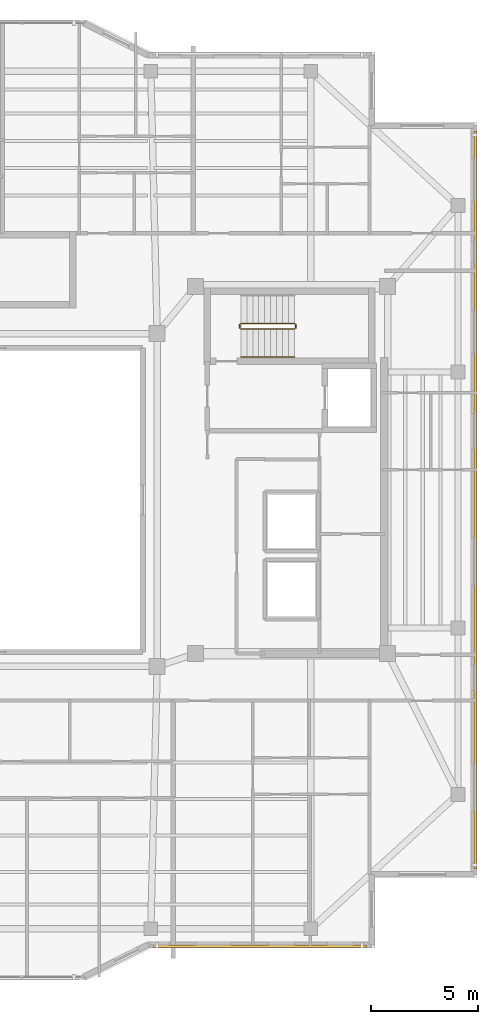
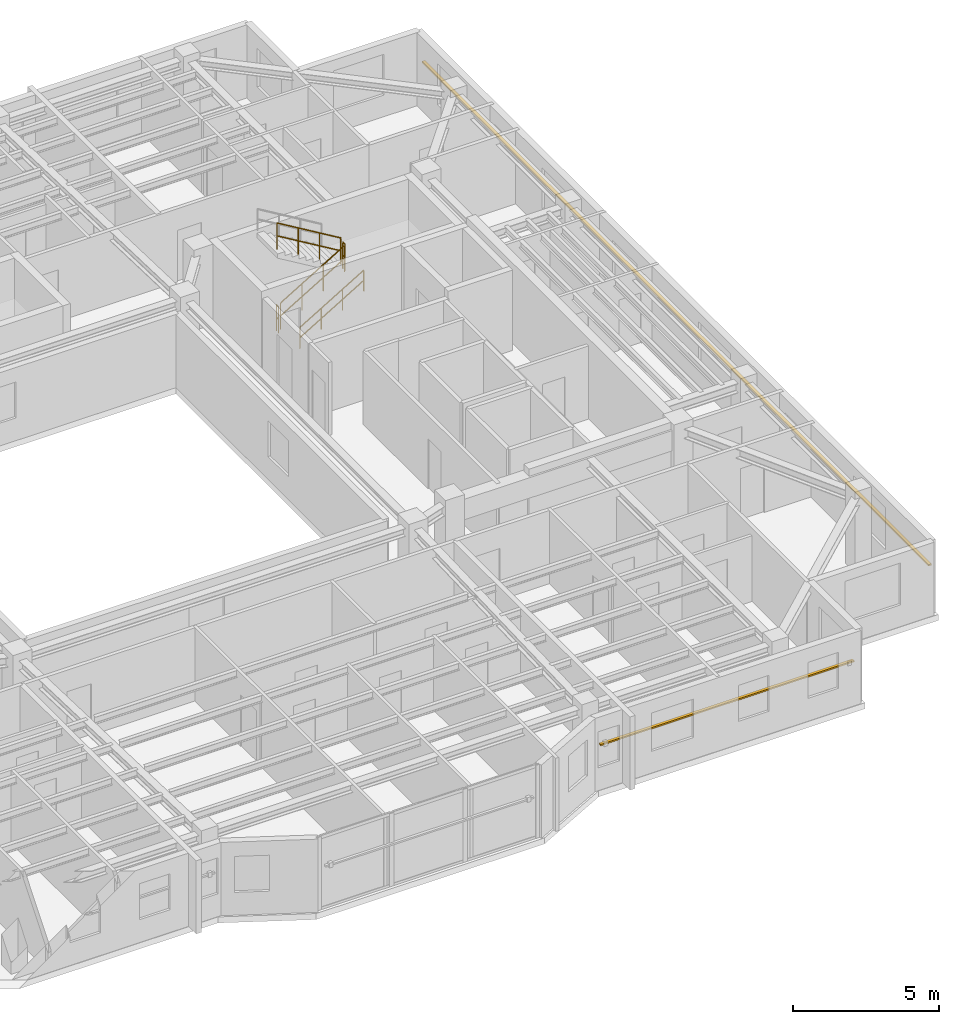
# One storey, part 14 of 15: 5 railings, 2 shading devices.
"""IFC4 building model written with IfcOpenShell, lengths in metres."""

import ifcopenshell
import ifcopenshell.guid

model = None  # the IFC model being written
_history = None  # IfcOwnerHistory: only IFC2X3 demands one
_inside = {}  # id of a spatial element -> (the spatial element, [elements in it])
_under = {}  # id of a project, library or spatial element -> (it, [spatial elements below it])
_declared = {}  # id of a project -> (the project, [libraries it declares])
_typed = {}  # id of a type object -> (the type object, [elements of that type])
_made_of = {}  # id of a material, layer set ... -> (it, [elements and type objects made of it])


def new_model(schema):
    """Start an empty IFC model of exactly this schema.

    Asked for "IFC4X3", IfcOpenShell would pick the latest addendum, in which some entities
    have other attributes; the version numbers below select the first issue.
    IFC2X3 requires an IfcOwnerHistory on every rooted entity: one is made here for all.
    """
    global model, _history
    if schema == "IFC4X3":
        model = ifcopenshell.file(schema_version=(4, 3, 0, 0))
    else:
        model = ifcopenshell.file(schema=schema)
    _inside.clear()
    _under.clear()
    _declared.clear()
    _typed.clear()
    _made_of.clear()
    _history = None
    if model.schema == "IFC2X3":
        org = make("IfcOrganization", Name="unknown")
        user = make(
            "IfcPersonAndOrganization",
            ThePerson=make("IfcPerson", FamilyName="unknown"),
            TheOrganization=org,
        )
        app = make(
            "IfcApplication",
            ApplicationDeveloper=org,
            Version="unknown",
            ApplicationFullName="unknown",
            ApplicationIdentifier="unknown",
        )
        _history = make(
            "IfcOwnerHistory",
            OwningUser=user,
            OwningApplication=app,
            ChangeAction="ADDED",
            CreationDate=0,
        )
    return model


def make(cls, **values):
    """One entity of the class cls with the attributes given. An attribute that is None is left unset."""
    return model.create_entity(
        cls, **{name: value for name, value in values.items() if value is not None}
    )


def rooted(cls, **values):
    """An entity with a GlobalId (a new one), such as an element, a storey or a relation."""
    return make(cls, GlobalId=ifcopenshell.guid.new(), OwnerHistory=_history, **values)


def si_unit(unit_type, name, prefix=None):
    """IfcSIUnit, for example si_unit("LENGTHUNIT", "METRE", prefix="MILLI")."""
    return make("IfcSIUnit", UnitType=unit_type, Prefix=prefix, Name=name)


def assignment(units):
    """IfcUnitAssignment: the units of a project."""
    return None if units is None else make("IfcUnitAssignment", Units=units)


def point(xyz):
    """IfcCartesianPoint."""
    return None if xyz is None else make("IfcCartesianPoint", Coordinates=xyz)


def direction(xyz):
    """IfcDirection."""
    return None if xyz is None else make("IfcDirection", DirectionRatios=xyz)


def frame(location, z_axis=None, x_axis=None):
    """IfcAxis2Placement3D, a coordinate frame: its origin and axes. An axis left out is left unset."""
    return make(
        "IfcAxis2Placement3D",
        Location=point(location),
        Axis=direction(z_axis),
        RefDirection=direction(x_axis),
    )


def frame_2d(location, x_axis=None):
    """IfcAxis2Placement2D, a coordinate frame in the plane: its origin and x axis."""
    return make(
        "IfcAxis2Placement2D", Location=point(location), RefDirection=direction(x_axis)
    )


def origin():
    """The frame at (0, 0, 0) with its axes left unset."""
    return frame((0.0, 0.0, 0.0))


def origin_2d():
    """The frame at (0, 0) in the plane with its x axis left unset."""
    return frame_2d((0.0, 0.0))


def place(relative_to, where):
    """IfcLocalPlacement: puts the frame where relative to a parent placement (None: the world)."""
    return make(
        "IfcLocalPlacement", PlacementRelTo=relative_to, RelativePlacement=where
    )


def context(
    kind, dimensions, precision=None, world=None, true_north=None, identifier=None
):
    """IfcGeometricRepresentationContext, for example the 3D "Model" context."""
    return make(
        "IfcGeometricRepresentationContext",
        ContextIdentifier=identifier,
        ContextType=kind,
        CoordinateSpaceDimension=dimensions,
        Precision=precision,
        WorldCoordinateSystem=world,
        TrueNorth=true_north,
    )


def subcontext(parent, identifier, kind, view, scale=None):
    """IfcGeometricRepresentationSubContext, for example "Body" below "Model"."""
    return make(
        "IfcGeometricRepresentationSubContext",
        ContextIdentifier=identifier,
        ContextType=kind,
        ParentContext=parent,
        TargetScale=scale,
        TargetView=view,
    )


def project(units=None, contexts=None):
    """IfcProject with its units and contexts."""
    return rooted(
        "IfcProject",
        Name="project",
        RepresentationContexts=contexts,
        UnitsInContext=assignment(units),
    )


def spatial(cls, under=None, at=None, **own):
    """A site, building, storey or space (cls), placed at a placement, below another one or the project."""
    s = rooted(cls, ObjectPlacement=at, **own)
    if under is not None:
        _under.setdefault(under.id(), (under, []))[1].append(s)
    return s


def profile(cls, at=None, kind="AREA", **sizes):
    """A parametric profile (cls). Its sizes go by their IFC names, for example OverallWidth=200.0."""
    return make(cls, ProfileType=kind, Position=at, **sizes)


def rectangle(**sizes):
    """IfcRectangleProfileDef."""
    return profile("IfcRectangleProfileDef", **sizes)


def circle(**sizes):
    """IfcCircleProfileDef."""
    return profile("IfcCircleProfileDef", **sizes)


def extrude(swept, where, along, depth):
    """IfcExtrudedAreaSolid: the profile swept, set in the frame where, extruded along a direction by depth."""
    return make(
        "IfcExtrudedAreaSolid",
        SweptArea=swept,
        Position=where,
        ExtrudedDirection=direction(along),
        Depth=depth,
    )


def shape(context_of_items, identifier, shape_type, items):
    """IfcShapeRepresentation: the items that make up one representation, for example the "Body"."""
    return make(
        "IfcShapeRepresentation",
        ContextOfItems=context_of_items,
        RepresentationIdentifier=identifier,
        RepresentationType=shape_type,
        Items=items,
    )


def material(Name=None, Category=None):
    """IfcMaterial."""
    return make("IfcMaterial", Name=Name, Category=Category)


def material_profile(
    of_material, cross_section, Name=None, Category=None, Priority=None
):
    """IfcMaterialProfile: a cross section and its material."""
    return make(
        "IfcMaterialProfile",
        Name=Name,
        Material=of_material,
        Profile=cross_section,
        Priority=Priority,
        Category=Category,
    )


def profile_set(profiles, Name=None, composite=None):
    """IfcMaterialProfileSet."""
    return make(
        "IfcMaterialProfileSet",
        Name=Name,
        MaterialProfiles=profiles,
        CompositeProfile=composite,
    )


def made_of(thing, what):
    """Note that an element or type object is made of a material, layer set ...; save() writes the relation."""
    if what is not None:
        _made_of.setdefault(what.id(), (what, []))[1].append(thing)
    return thing


def type_object(cls, material=None, **own):
    """A type object (cls), such as IfcWallType, which elements share."""
    return made_of(rooted(cls, **own), material)


def element(
    cls,
    number,
    at=None,
    inside=None,
    cuts=None,
    type_object=None,
    material=None,
    context=None,
    identifier="Body",
    shape_type=None,
    held_by="IfcProductDefinitionShape",
    body=None,
    shapes=None,
    **own,
):
    """One element of the class cls, such as IfcWall. Its Tag is "e" and its number.

    at: its placement. inside: the storey or other place that contains it. cuts: it is an
    opening in that element (IfcRelVoidsElement). A single representation is given by context,
    identifier, shape_type and body (its items); several are given by shapes. held_by: the class
    of the entity that holds the representations. save() writes the other relations.
    """
    e = rooted(cls, Tag="e%d" % number, ObjectPlacement=at, **own)
    if body is not None:
        shapes = [shape(context, identifier, shape_type, body)]
    if shapes is not None:
        e.Representation = make(held_by, Representations=shapes)
    if inside is not None:
        _inside.setdefault(inside.id(), (inside, []))[1].append(e)
    if cuts is not None:
        rooted(
            "IfcRelVoidsElement", RelatingBuildingElement=cuts, RelatedOpeningElement=e
        )
    if type_object is not None:
        _typed.setdefault(type_object.id(), (type_object, []))[1].append(e)
    return made_of(e, material)


def aggregate(whole, parts):
    """IfcRelAggregates: a whole, such as a stair, and the parts it consists of."""
    return rooted("IfcRelAggregates", RelatingObject=whole, RelatedObjects=parts)


def save(model, path):
    """Write the relations noted so far, then the file.

    IfcRelAggregates (storeys below a building ...), IfcRelContainedInSpatialStructure (elements
    in a storey), IfcRelDefinesByType, IfcRelAssociatesMaterial and IfcRelDeclares: one each for
    every whole, place, type object, material and project.
    """
    for whole, parts in _under.values():
        aggregate(whole, parts)
    for where, things in _inside.values():
        rooted(
            "IfcRelContainedInSpatialStructure",
            RelatedElements=things,
            RelatingStructure=where,
        )
    for kind, things in _typed.values():
        rooted("IfcRelDefinesByType", RelatedObjects=things, RelatingType=kind)
    for what, things in _made_of.values():
        rooted("IfcRelAssociatesMaterial", RelatedObjects=things, RelatingMaterial=what)
    for by, libraries in _declared.values():
        rooted("IfcRelDeclares", RelatingContext=by, RelatedDefinitions=libraries)
    model.write(path)


model = new_model("IFC4")

# Units and contexts
model_context = context("Model", 3, precision=1e-05, world=origin(), true_north=direction((0.0, 1.0)))
body_context = subcontext(model_context, "Body", "Model", "MODEL_VIEW")
ifc_project = project(units=[si_unit("LENGTHUNIT", "METRE"), si_unit("AREAUNIT", "SQUARE_METRE"), si_unit("VOLUMEUNIT", "CUBIC_METRE"), si_unit("PLANEANGLEUNIT", "RADIAN"), si_unit("MASSUNIT", "GRAM", prefix="KILO")], contexts=[model_context])

# Site, building, storey
site_placement = place(None, origin())
site = spatial("IfcSite", under=ifc_project, at=site_placement, CompositionType="ELEMENT")
building_placement = place(site_placement, origin())
building = spatial("IfcBuilding", under=site, at=building_placement, Name="Tarnavaz Court Tower", CompositionType="ELEMENT")
storey_placement = place(building_placement, frame((0.0, 0.0, 268.300048828125)))
storey = spatial("IfcBuildingStorey", under=building, at=storey_placement, Name="L73", CompositionType="ELEMENT", Elevation=268.300048828125)

# Railings
ifc_material_1 = material(Name="Brushed Stainless Steel", Category="steel")
railing_type_1 = type_object("IfcRailingType", Name="RL-HANDRAIL-900", PredefinedType="HANDRAIL", material=ifc_material_1)
railing_1_placement = place(storey_placement, frame((11.719970703125, 6.699951171875, 0.16748046875)))
element("IfcRailing", 1, at=railing_1_placement, inside=storey, type_object=railing_type_1, Name="L73 ST-E1 stair handrail 1", PredefinedType="HANDRAIL", context=body_context, shape_type="SweptSolid", body=[
    extrude(circle(Radius=0.02392578125, at=origin_2d()), frame((0.0, 0.0, 0.8759765625), z_axis=(0.858159760407, 0.0, 0.513382728203), x_axis=(0.0, 1.0, 0.0)), (0.0, 0.0, 1.0), 2.9365234375),
    extrude(circle(Radius=0.02392578125, at=origin_2d()), frame((0.0, 0.0, 0.449951171875), z_axis=(0.858159760407, 0.0, 0.513382728203), x_axis=(0.0, 1.0, 0.0)), (0.0, 0.0, 1.0), 2.9365234375),
    extrude(circle(Radius=0.02099609375, at=origin_2d()), origin(), (0.0, 0.0, 1.0), 0.851806640625),
    extrude(circle(Radius=0.02099609375, at=origin_2d()), frame((0.840087890625, 0.0, 0.50244140625)), (0.0, 0.0, 1.0), 0.851806640625),
    extrude(circle(Radius=0.02099609375, at=origin_2d()), frame((1.679931640625, 0.0, 1.005126953125)), (0.0, 0.0, 1.0), 0.851806640625),
    extrude(circle(Radius=0.02099609375, at=origin_2d()), frame((2.52001953125, 0.0, 1.507568359375)), (0.0, 0.0, 1.0), 0.851806640625),
])
ifc_material_2 = material(Name="Galvanized Painted Tubular Steel", Category="steel")
railing_type_2 = type_object("IfcRailingType", Name="RL-STGUARD-1120", PredefinedType="GUARDRAIL", material=ifc_material_2)
railing_2_placement = place(storey_placement, frame((11.719970703125, 8.02001953125, 0.16748046875)))
element("IfcRailing", 2, at=railing_2_placement, inside=storey, type_object=railing_type_2, Name="L73 ST-E1 stair guard 1", PredefinedType="GUARDRAIL", context=body_context, shape_type="SweptSolid", body=[
    extrude(circle(Radius=0.02392578125, at=origin_2d()), frame((0.0, 0.0, 1.09619140625), z_axis=(0.858159760407, 0.0, 0.513382728203), x_axis=(0.0, 1.0, 0.0)), (0.0, 0.0, 1.0), 2.9365234375),
    extrude(circle(Radius=0.02392578125, at=origin_2d()), frame((0.0, 0.0, 0.56005859375), z_axis=(0.858159760407, 0.0, 0.513382728203), x_axis=(0.0, 1.0, 0.0)), (0.0, 0.0, 1.0), 2.9365234375),
    extrude(circle(Radius=0.02099609375, at=origin_2d()), origin(), (0.0, 0.0, 1.0), 1.072021484375),
    extrude(circle(Radius=0.02099609375, at=origin_2d()), frame((0.840087890625, 0.0, 0.50244140625)), (0.0, 0.0, 1.0), 1.072021484375),
    extrude(circle(Radius=0.02099609375, at=origin_2d()), frame((1.679931640625, 0.0, 1.005126953125)), (0.0, 0.0, 1.0), 1.072021484375),
    extrude(circle(Radius=0.02099609375, at=origin_2d()), frame((2.52001953125, 0.0, 1.507568359375)), (0.0, 0.0, 1.0), 1.072021484375),
])
railing_3_placement = place(storey_placement, frame((14.2900390625, 8.070068359375, 1.675048828125)))
element("IfcRailing", 3, at=railing_3_placement, inside=storey, type_object=railing_type_2, Name="L73 ST-E1 stair guard 2", PredefinedType="GUARDRAIL", context=body_context, shape_type="SweptSolid", body=[
    extrude(circle(Radius=0.02392578125, at=origin_2d()), frame((0.0, 0.0, 1.09619140625), z_axis=(0.0, 1.0, 0.0), x_axis=(-1.0, 0.0, 0.0)), (0.0, 0.0, 1.0), 0.14990234375),
    extrude(circle(Radius=0.02392578125, at=origin_2d()), frame((0.0, 0.0, 0.56005859375), z_axis=(0.0, 1.0, 0.0), x_axis=(-1.0, 0.0, 0.0)), (0.0, 0.0, 1.0), 0.14990234375),
    extrude(circle(Radius=0.02099609375, at=origin_2d()), origin(), (0.0, 0.0, 1.0), 1.072021484375),
    extrude(circle(Radius=0.02099609375, at=origin_2d()), frame((0.0, 0.14990234375, 0.0)), (0.0, 0.0, 1.0), 1.072021484375),
])
railing_4_placement = place(storey_placement, frame((14.239990234375, 8.27001953125, 1.842529296875)))
element("IfcRailing", 4, at=railing_4_placement, inside=storey, type_object=railing_type_2, Name="L73 ST-E1 stair guard 3", PredefinedType="GUARDRAIL", context=body_context, shape_type="SweptSolid", body=[
    extrude(circle(Radius=0.02392578125, at=origin_2d()), frame((0.0, 0.0, 1.09619140625), z_axis=(-0.858196387827, 0.0, 0.513321497621), x_axis=(0.0, -1.0, 0.0)), (0.0, 0.0, 1.0), 2.9365234375),
    extrude(circle(Radius=0.02392578125, at=origin_2d()), frame((0.0, 0.0, 0.56005859375), z_axis=(-0.858196387827, 0.0, 0.513321497621), x_axis=(0.0, -1.0, 0.0)), (0.0, 0.0, 1.0), 2.9365234375),
    extrude(circle(Radius=0.02099609375, at=origin_2d()), origin(), (0.0, 0.0, 1.0), 1.072021484375),
    extrude(circle(Radius=0.02099609375, at=origin_2d()), frame((-0.840087890625, 0.0, 0.50244140625)), (0.0, 0.0, 1.0), 1.072021484375),
    extrude(circle(Radius=0.02099609375, at=origin_2d()), frame((-1.679931640625, 0.0, 1.0048828125)), (0.0, 0.0, 1.0), 1.072021484375),
    extrude(circle(Radius=0.02099609375, at=origin_2d()), frame((-2.52001953125, 0.0, 1.50732421875)), (0.0, 0.0, 1.0), 1.072021484375),
])
railing_5_placement = place(storey_placement, frame((11.669921875, 8.070068359375, 0.0)))
element("IfcRailing", 5, at=railing_5_placement, inside=storey, type_object=railing_type_2, Name="L73 ST-E1 stair guard 4", PredefinedType="GUARDRAIL", context=body_context, shape_type="SweptSolid", body=[
    extrude(circle(Radius=0.02392578125, at=origin_2d()), frame((0.0, 0.0, 1.09619140625), z_axis=(0.0, 1.0, 0.0), x_axis=(-1.0, 0.0, 0.0)), (0.0, 0.0, 1.0), 0.14990234375),
    extrude(circle(Radius=0.02392578125, at=origin_2d()), frame((0.0, 0.0, 0.56005859375), z_axis=(0.0, 1.0, 0.0), x_axis=(-1.0, 0.0, 0.0)), (0.0, 0.0, 1.0), 0.14990234375),
    extrude(circle(Radius=0.02099609375, at=origin_2d()), origin(), (0.0, 0.0, 1.0), 1.072021484375),
    extrude(circle(Radius=0.02099609375, at=origin_2d()), frame((0.0, 0.14990234375, 0.0)), (0.0, 0.0, 1.0), 1.072021484375),
])

# Shading devices
ifc_material_3 = material(Name="Kiln-Fired Khorasan Terracotta Ceramic", Category="masonry")
ifc_material_profile = material_profile(ifc_material_3, rectangle(XDim=0.1201171875, YDim=0.06005859375, at=origin_2d()), Name="TC BAGUETTE 120X60")
ifc_profile_set = profile_set([ifc_material_profile], Name="Kiln-Fired Khorasan Terracotta Ceramic")
shading_device_type = type_object("IfcShadingDeviceType", Name="SD-BAG-120", PredefinedType="USERDEFINED", material=ifc_profile_set)
shading_device_1_placement = place(storey_placement, frame((22.7099609375, 17.300048828125, 1.849853515625), z_axis=(0.0, -1.0, 0.0), x_axis=(1.0, 0.0, 0.0)))
element("IfcShadingDevice", 6, at=shading_device_1_placement, inside=storey, type_object=shading_device_type, Name="L73 Terracotta Baguette Screen FBG12", ObjectType="BAGUETTE", PredefinedType="USERDEFINED", context=body_context, shape_type="SweptSolid", body=[
    extrude(rectangle(XDim=0.1201171875, YDim=0.06005859375, at=origin_2d()), origin(), (0.0, 0.0, 1.0), 34.60009765625),
])
shading_device_2_placement = place(storey_placement, frame((17.60009765625, -20.909912109375, 1.849853515625), z_axis=(-1.0, 0.0, 0.0), x_axis=(0.0, -1.0, 0.0)))
element("IfcShadingDevice", 7, at=shading_device_2_placement, inside=storey, type_object=shading_device_type, Name="L73 Terracotta Baguette Screen FBG15", ObjectType="BAGUETTE", PredefinedType="USERDEFINED", context=body_context, shape_type="SweptSolid", body=[
    extrude(rectangle(XDim=0.1201171875, YDim=0.06005859375, at=origin_2d()), origin(), (0.0, 0.0, 1.0), 10.0),
])

save(model, "model.ifc")
